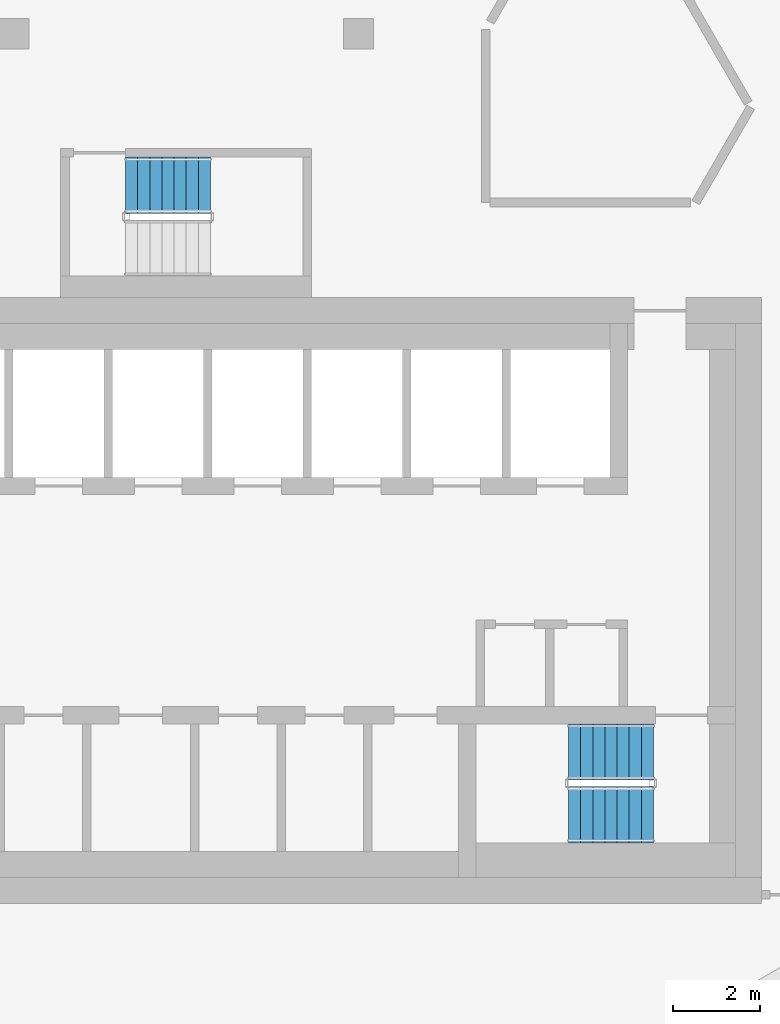
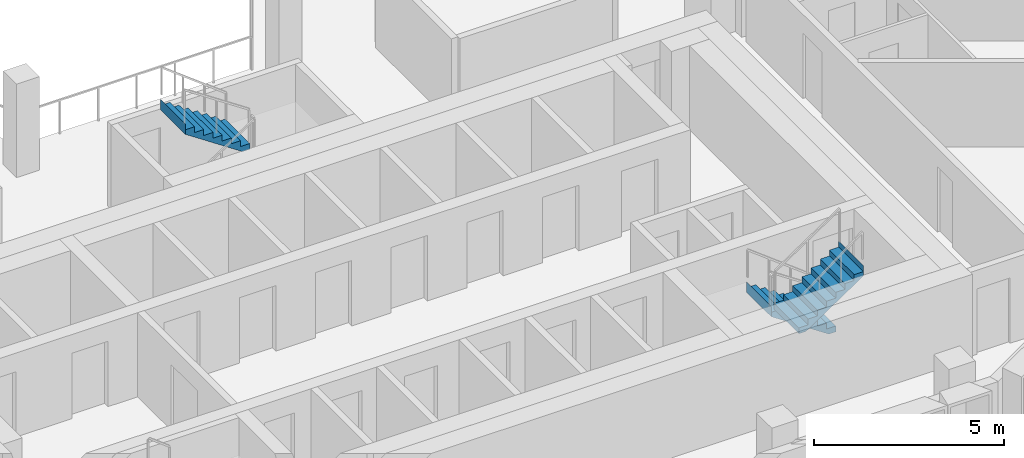
# One storey, part 10 of 15: 3 stair flights, 2 elements without a shape of their own.
"""IFC4 building model written with IfcOpenShell, lengths in metres."""

from ifc_helpers import new_model, si_unit, direction, frame, origin, place, context, subcontext, project, spatial, triangles, material, type_object, element, aggregate, save


model = new_model("IFC4")

# Units and contexts
model_context = context("Model", 3, precision=1e-05, world=origin(), true_north=direction((0.0, 1.0)))
body_context = subcontext(model_context, "Body", "Model", "MODEL_VIEW")
ifc_project = project(units=[si_unit("LENGTHUNIT", "METRE"), si_unit("AREAUNIT", "SQUARE_METRE"), si_unit("VOLUMEUNIT", "CUBIC_METRE"), si_unit("PLANEANGLEUNIT", "RADIAN"), si_unit("MASSUNIT", "GRAM", prefix="KILO")], contexts=[model_context])

# Site, building, storey
site_placement = place(None, origin())
site = spatial("IfcSite", under=ifc_project, at=site_placement, CompositionType="ELEMENT")
building_placement = place(site_placement, origin())
building = spatial("IfcBuilding", under=site, at=building_placement, Name="Beryl Residences", CompositionType="ELEMENT")
storey_placement = place(building_placement, frame((0.0, 0.0, 175.199951171875)))
storey = spatial("IfcBuildingStorey", under=building, at=storey_placement, Name="L53", CompositionType="ELEMENT", Elevation=175.199951171875)

# Stair, stair flights
ifc_material_1 = material(Name="Concrete C40/50", Category="concrete")
stair_type = type_object("IfcStairType", Name="ST1 protected exit stair, half-turn, 1300 mm flights", PredefinedType="HALF_TURN_STAIR", material=ifc_material_1)
stair_1_placement = place(storey_placement, origin())
stair_1 = element("IfcStair", 1, at=stair_1_placement, inside=storey, type_object=stair_type, Name="L53 PROTECTED EXIT STAIR ST-3", PredefinedType="HALF_TURN_STAIR")
ifc_material_2 = material(Name="Concrete C40/50", Category="concrete")
stair_flight_type = type_object("IfcStairFlightType", Name="SF1 stair flight 1300 mm", PredefinedType="STRAIGHT", material=ifc_material_2)
stair_flight_1_placement = place(storey_placement, frame((10.800048828125, -15.5, 0.0), z_axis=(0.0, 0.0, 1.0), x_axis=(-1.0, 0.0, 0.0)))
stair_flight_1 = element("IfcStairFlight", 2, at=stair_flight_1_placement, type_object=stair_flight_type, Name="ST-3 flight 1", NumberOfRisers=8, NumberOfTreads=7, PredefinedType="STRAIGHT", RiserHeight=0.1875, TreadLength=0.28, context=body_context, shape_type="Tessellation", body=[
    triangles([(0.0, -0.64990234375, 0.0), (0.0, -0.324951171875, 0.0), (0.0, 0.0, 0.0), (0.0, 0.324951171875, 0.0), (0.0, 0.64990234375, 0.0), (0.0, -0.64990234375, 0.1875), (0.0, -0.324951171875, 0.1875), (0.0, 0.0, 0.1875), (0.0, 0.324951171875, 0.1875), (0.0, 0.64990234375, 0.1875), (0.280029296875, -0.64990234375, 0.1875), (0.280029296875, -0.324951171875, 0.1875), (0.280029296875, 0.0, 0.1875), (0.280029296875, 0.324951171875, 0.1875), (0.280029296875, 0.64990234375, 0.1875), (0.280029296875, -0.64990234375, 0.375), (0.280029296875, -0.324951171875, 0.375), (0.280029296875, 0.0, 0.375), (0.280029296875, 0.324951171875, 0.375), (0.280029296875, 0.64990234375, 0.375), (0.56005859375, -0.64990234375, 0.375), (0.56005859375, -0.324951171875, 0.375), (0.56005859375, 0.0, 0.375), (0.56005859375, 0.324951171875, 0.375), (0.56005859375, 0.64990234375, 0.375), (0.56005859375, -0.64990234375, 0.5625), (0.56005859375, -0.324951171875, 0.5625), (0.56005859375, 0.0, 0.5625), (0.56005859375, 0.324951171875, 0.5625), (0.56005859375, 0.64990234375, 0.5625), (0.840087890625, -0.64990234375, 0.5625), (0.840087890625, -0.324951171875, 0.5625), (0.840087890625, 0.0, 0.5625), (0.840087890625, 0.324951171875, 0.5625), (0.840087890625, 0.64990234375, 0.5625), (0.840087890625, -0.64990234375, 0.75), (0.840087890625, -0.324951171875, 0.75), (0.840087890625, 0.0, 0.75), (0.840087890625, 0.324951171875, 0.75), (0.840087890625, 0.64990234375, 0.75), (1.1201171875, -0.64990234375, 0.75), (1.1201171875, -0.324951171875, 0.75), (1.1201171875, 0.0, 0.75), (1.1201171875, 0.324951171875, 0.75), (1.1201171875, 0.64990234375, 0.75), (1.1201171875, -0.64990234375, 0.9375), (1.1201171875, -0.324951171875, 0.9375), (1.1201171875, 0.0, 0.9375), (1.1201171875, 0.324951171875, 0.9375), (1.1201171875, 0.64990234375, 0.9375), (1.39990234375, -0.64990234375, 0.9375), (1.39990234375, -0.324951171875, 0.9375), (1.39990234375, 0.0, 0.9375), (1.39990234375, 0.324951171875, 0.9375), (1.39990234375, 0.64990234375, 0.9375), (1.39990234375, -0.64990234375, 1.125), (1.39990234375, -0.324951171875, 1.125), (1.39990234375, 0.0, 1.125), (1.39990234375, 0.324951171875, 1.125), (1.39990234375, 0.64990234375, 1.125), (1.679931640625, -0.64990234375, 1.125), (1.679931640625, -0.324951171875, 1.125), (1.679931640625, 0.0, 1.125), (1.679931640625, 0.324951171875, 1.125), (1.679931640625, 0.64990234375, 1.125), (1.679931640625, -0.64990234375, 1.3125), (1.679931640625, -0.324951171875, 1.3125), (1.679931640625, 0.0, 1.3125), (1.679931640625, 0.324951171875, 1.3125), (1.679931640625, 0.64990234375, 1.3125), (1.9599609375, -0.64990234375, 1.3125), (1.9599609375, -0.324951171875, 1.3125), (1.9599609375, 0.0, 1.3125), (1.9599609375, 0.324951171875, 1.3125), (1.9599609375, 0.64990234375, 1.3125), (1.9599609375, -0.64990234375, 1.5), (1.9599609375, -0.324951171875, 1.5), (1.9599609375, 0.0, 1.5), (1.9599609375, 0.324951171875, 1.5), (1.9599609375, 0.64990234375, 1.5), (1.9609375, -0.64990234375, 1.5), (1.9609375, -0.324951171875, 1.5), (1.9609375, 0.0, 1.5), (1.9609375, 0.324951171875, 1.5), (1.9609375, 0.64990234375, 1.5), (1.9609375, -0.64990234375, 1.16796875), (1.9609375, -0.324951171875, 1.16796875), (1.9609375, 0.0, 1.16796875), (1.9609375, 0.324951171875, 1.16796875), (1.9609375, 0.64990234375, 1.16796875), (0.216796875, -0.64990234375, 0.0), (0.216796875, -0.324951171875, 0.0), (0.216796875, 0.0, 0.0), (0.216796875, 0.324951171875, 0.0), (0.216796875, 0.64990234375, 0.0)], [[1, 6, 7], [1, 7, 2], [2, 7, 8], [2, 8, 3], [3, 8, 9], [3, 9, 4], [4, 9, 10], [4, 10, 5], [6, 11, 12], [6, 12, 7], [7, 12, 13], [7, 13, 8], [8, 13, 14], [8, 14, 9], [9, 14, 15], [9, 15, 10], [11, 16, 17], [11, 17, 12], [12, 17, 18], [12, 18, 13], [13, 18, 19], [13, 19, 14], [14, 19, 20], [14, 20, 15], [16, 21, 22], [16, 22, 17], [17, 22, 23], [17, 23, 18], [18, 23, 24], [18, 24, 19], [19, 24, 25], [19, 25, 20], [21, 26, 27], [21, 27, 22], [22, 27, 28], [22, 28, 23], [23, 28, 29], [23, 29, 24], [24, 29, 30], [24, 30, 25], [26, 31, 32], [26, 32, 27], [27, 32, 33], [27, 33, 28], [28, 33, 34], [28, 34, 29], [29, 34, 35], [29, 35, 30], [31, 36, 37], [31, 37, 32], [32, 37, 38], [32, 38, 33], [33, 38, 39], [33, 39, 34], [34, 39, 40], [34, 40, 35], [36, 41, 42], [36, 42, 37], [37, 42, 43], [37, 43, 38], [38, 43, 44], [38, 44, 39], [39, 44, 45], [39, 45, 40], [41, 46, 47], [41, 47, 42], [42, 47, 48], [42, 48, 43], [43, 48, 49], [43, 49, 44], [44, 49, 50], [44, 50, 45], [46, 51, 52], [46, 52, 47], [47, 52, 53], [47, 53, 48], [48, 53, 54], [48, 54, 49], [49, 54, 55], [49, 55, 50], [51, 56, 57], [51, 57, 52], [52, 57, 58], [52, 58, 53], [53, 58, 59], [53, 59, 54], [54, 59, 60], [54, 60, 55], [56, 61, 62], [56, 62, 57], [57, 62, 63], [57, 63, 58], [58, 63, 64], [58, 64, 59], [59, 64, 65], [59, 65, 60], [61, 66, 67], [61, 67, 62], [62, 67, 68], [62, 68, 63], [63, 68, 69], [63, 69, 64], [64, 69, 70], [64, 70, 65], [66, 71, 72], [66, 72, 67], [67, 72, 73], [67, 73, 68], [68, 73, 74], [68, 74, 69], [69, 74, 75], [69, 75, 70], [71, 76, 77], [71, 77, 72], [72, 77, 78], [72, 78, 73], [73, 78, 79], [73, 79, 74], [74, 79, 80], [74, 80, 75], [76, 81, 82], [76, 82, 77], [77, 82, 83], [77, 83, 78], [78, 83, 84], [78, 84, 79], [79, 84, 85], [79, 85, 80], [81, 86, 87], [81, 87, 82], [82, 87, 88], [82, 88, 83], [83, 88, 89], [83, 89, 84], [84, 89, 90], [84, 90, 85], [86, 91, 92], [86, 92, 87], [87, 92, 93], [87, 93, 88], [88, 93, 94], [88, 94, 89], [89, 94, 95], [89, 95, 90], [91, 1, 2], [91, 2, 92], [92, 2, 3], [92, 3, 93], [93, 3, 4], [93, 4, 94], [94, 4, 5], [94, 5, 95], [1, 91, 86], [5, 90, 95], [86, 81, 76], [90, 80, 85], [86, 76, 71], [90, 75, 80], [86, 71, 66], [90, 70, 75], [86, 66, 61], [90, 65, 70], [61, 56, 51], [65, 55, 60], [86, 61, 51], [90, 55, 65], [51, 46, 41], [55, 45, 50], [86, 51, 41], [90, 45, 55], [41, 36, 31], [45, 35, 40], [86, 41, 31], [90, 35, 45], [31, 26, 21], [35, 25, 30], [86, 31, 21], [90, 25, 35], [21, 16, 11], [25, 15, 20], [86, 21, 11], [90, 15, 25], [1, 86, 11], [5, 15, 90], [11, 6, 1], [15, 5, 10]], closed=True),
])
stair_flight_2_placement = place(storey_placement, frame((8.840087890625, -16.949951171875, 1.5), z_axis=(0.0, 0.0, 1.0), x_axis=(1.0, 0.0, 0.0)))
stair_flight_2 = element("IfcStairFlight", 3, at=stair_flight_2_placement, type_object=stair_flight_type, Name="ST-3 flight 2", NumberOfRisers=8, NumberOfTreads=7, PredefinedType="STRAIGHT", RiserHeight=0.1875, TreadLength=0.28, context=body_context, shape_type="Tessellation", body=[
    triangles([(0.0, -0.64990234375, 0.0), (0.0, -0.324951171875, 0.0), (0.0, 0.0, 0.0), (0.0, 0.324951171875, 0.0), (0.0, 0.64990234375, 0.0), (0.0, -0.64990234375, 0.1875), (0.0, -0.324951171875, 0.1875), (0.0, 0.0, 0.1875), (0.0, 0.324951171875, 0.1875), (0.0, 0.64990234375, 0.1875), (0.280029296875, -0.64990234375, 0.1875), (0.280029296875, -0.324951171875, 0.1875), (0.280029296875, 0.0, 0.1875), (0.280029296875, 0.324951171875, 0.1875), (0.280029296875, 0.64990234375, 0.1875), (0.280029296875, -0.64990234375, 0.375), (0.280029296875, -0.324951171875, 0.375), (0.280029296875, 0.0, 0.375), (0.280029296875, 0.324951171875, 0.375), (0.280029296875, 0.64990234375, 0.375), (0.56005859375, -0.64990234375, 0.375), (0.56005859375, -0.324951171875, 0.375), (0.56005859375, 0.0, 0.375), (0.56005859375, 0.324951171875, 0.375), (0.56005859375, 0.64990234375, 0.375), (0.56005859375, -0.64990234375, 0.5625), (0.56005859375, -0.324951171875, 0.5625), (0.56005859375, 0.0, 0.5625), (0.56005859375, 0.324951171875, 0.5625), (0.56005859375, 0.64990234375, 0.5625), (0.840087890625, -0.64990234375, 0.5625), (0.840087890625, -0.324951171875, 0.5625), (0.840087890625, 0.0, 0.5625), (0.840087890625, 0.324951171875, 0.5625), (0.840087890625, 0.64990234375, 0.5625), (0.840087890625, -0.64990234375, 0.75), (0.840087890625, -0.324951171875, 0.75), (0.840087890625, 0.0, 0.75), (0.840087890625, 0.324951171875, 0.75), (0.840087890625, 0.64990234375, 0.75), (1.1201171875, -0.64990234375, 0.75), (1.1201171875, -0.324951171875, 0.75), (1.1201171875, 0.0, 0.75), (1.1201171875, 0.324951171875, 0.75), (1.1201171875, 0.64990234375, 0.75), (1.1201171875, -0.64990234375, 0.9375), (1.1201171875, -0.324951171875, 0.9375), (1.1201171875, 0.0, 0.9375), (1.1201171875, 0.324951171875, 0.9375), (1.1201171875, 0.64990234375, 0.9375), (1.39990234375, -0.64990234375, 0.9375), (1.39990234375, -0.324951171875, 0.9375), (1.39990234375, 0.0, 0.9375), (1.39990234375, 0.324951171875, 0.9375), (1.39990234375, 0.64990234375, 0.9375), (1.39990234375, -0.64990234375, 1.125), (1.39990234375, -0.324951171875, 1.125), (1.39990234375, 0.0, 1.125), (1.39990234375, 0.324951171875, 1.125), (1.39990234375, 0.64990234375, 1.125), (1.679931640625, -0.64990234375, 1.125), (1.679931640625, -0.324951171875, 1.125), (1.679931640625, 0.0, 1.125), (1.679931640625, 0.324951171875, 1.125), (1.679931640625, 0.64990234375, 1.125), (1.679931640625, -0.64990234375, 1.3125), (1.679931640625, -0.324951171875, 1.3125), (1.679931640625, 0.0, 1.3125), (1.679931640625, 0.324951171875, 1.3125), (1.679931640625, 0.64990234375, 1.3125), (1.9599609375, -0.64990234375, 1.3125), (1.9599609375, -0.324951171875, 1.3125), (1.9599609375, 0.0, 1.3125), (1.9599609375, 0.324951171875, 1.3125), (1.9599609375, 0.64990234375, 1.3125), (1.9599609375, -0.64990234375, 1.5), (1.9599609375, -0.324951171875, 1.5), (1.9599609375, 0.0, 1.5), (1.9599609375, 0.324951171875, 1.5), (1.9599609375, 0.64990234375, 1.5), (1.9609375, -0.64990234375, 1.5), (1.9609375, -0.324951171875, 1.5), (1.9609375, 0.0, 1.5), (1.9609375, 0.324951171875, 1.5), (1.9609375, 0.64990234375, 1.5), (1.9609375, -0.64990234375, 1.16796875), (1.9609375, -0.324951171875, 1.16796875), (1.9609375, 0.0, 1.16796875), (1.9609375, 0.324951171875, 1.16796875), (1.9609375, 0.64990234375, 1.16796875), (0.216796875, -0.64990234375, 0.0), (0.216796875, -0.324951171875, 0.0), (0.216796875, 0.0, 0.0), (0.216796875, 0.324951171875, 0.0), (0.216796875, 0.64990234375, 0.0)], [[1, 6, 7], [1, 7, 2], [2, 7, 8], [2, 8, 3], [3, 8, 9], [3, 9, 4], [4, 9, 10], [4, 10, 5], [6, 11, 12], [6, 12, 7], [7, 12, 13], [7, 13, 8], [8, 13, 14], [8, 14, 9], [9, 14, 15], [9, 15, 10], [11, 16, 17], [11, 17, 12], [12, 17, 18], [12, 18, 13], [13, 18, 19], [13, 19, 14], [14, 19, 20], [14, 20, 15], [16, 21, 22], [16, 22, 17], [17, 22, 23], [17, 23, 18], [18, 23, 24], [18, 24, 19], [19, 24, 25], [19, 25, 20], [21, 26, 27], [21, 27, 22], [22, 27, 28], [22, 28, 23], [23, 28, 29], [23, 29, 24], [24, 29, 30], [24, 30, 25], [26, 31, 32], [26, 32, 27], [27, 32, 33], [27, 33, 28], [28, 33, 34], [28, 34, 29], [29, 34, 35], [29, 35, 30], [31, 36, 37], [31, 37, 32], [32, 37, 38], [32, 38, 33], [33, 38, 39], [33, 39, 34], [34, 39, 40], [34, 40, 35], [36, 41, 42], [36, 42, 37], [37, 42, 43], [37, 43, 38], [38, 43, 44], [38, 44, 39], [39, 44, 45], [39, 45, 40], [41, 46, 47], [41, 47, 42], [42, 47, 48], [42, 48, 43], [43, 48, 49], [43, 49, 44], [44, 49, 50], [44, 50, 45], [46, 51, 52], [46, 52, 47], [47, 52, 53], [47, 53, 48], [48, 53, 54], [48, 54, 49], [49, 54, 55], [49, 55, 50], [51, 56, 57], [51, 57, 52], [52, 57, 58], [52, 58, 53], [53, 58, 59], [53, 59, 54], [54, 59, 60], [54, 60, 55], [56, 61, 62], [56, 62, 57], [57, 62, 63], [57, 63, 58], [58, 63, 64], [58, 64, 59], [59, 64, 65], [59, 65, 60], [61, 66, 67], [61, 67, 62], [62, 67, 68], [62, 68, 63], [63, 68, 69], [63, 69, 64], [64, 69, 70], [64, 70, 65], [66, 71, 72], [66, 72, 67], [67, 72, 73], [67, 73, 68], [68, 73, 74], [68, 74, 69], [69, 74, 75], [69, 75, 70], [71, 76, 77], [71, 77, 72], [72, 77, 78], [72, 78, 73], [73, 78, 79], [73, 79, 74], [74, 79, 80], [74, 80, 75], [76, 81, 82], [76, 82, 77], [77, 82, 83], [77, 83, 78], [78, 83, 84], [78, 84, 79], [79, 84, 85], [79, 85, 80], [81, 86, 87], [81, 87, 82], [82, 87, 88], [82, 88, 83], [83, 88, 89], [83, 89, 84], [84, 89, 90], [84, 90, 85], [86, 91, 92], [86, 92, 87], [87, 92, 93], [87, 93, 88], [88, 93, 94], [88, 94, 89], [89, 94, 95], [89, 95, 90], [91, 1, 2], [91, 2, 92], [92, 2, 3], [92, 3, 93], [93, 3, 4], [93, 4, 94], [94, 4, 5], [94, 5, 95], [1, 91, 86], [5, 90, 95], [86, 81, 76], [90, 80, 85], [86, 76, 71], [90, 75, 80], [86, 71, 66], [90, 70, 75], [86, 66, 61], [90, 65, 70], [61, 56, 51], [65, 55, 60], [86, 61, 51], [90, 55, 65], [51, 46, 41], [55, 45, 50], [86, 51, 41], [90, 45, 55], [41, 36, 31], [45, 35, 40], [86, 41, 31], [90, 35, 45], [31, 26, 21], [35, 25, 30], [86, 31, 21], [90, 25, 35], [21, 16, 11], [25, 15, 20], [86, 21, 11], [90, 15, 25], [1, 86, 11], [5, 15, 90], [11, 6, 1], [15, 5, 10]], closed=True),
])
aggregate(stair_1, [stair_flight_1, stair_flight_2])

# Stair, stair flight
stair_2_placement = place(storey_placement, origin())
stair_2 = element("IfcStair", 4, at=stair_2_placement, inside=storey, type_object=stair_type, Name="L53 PROTECTED EXIT STAIR ST-4", PredefinedType="HALF_TURN_STAIR")
stair_flight_3_placement = place(storey_placement, frame((0.56005859375, -2.39990234375, 1.5), z_axis=(0.0, 0.0, 1.0), x_axis=(-1.0, 0.0, 0.0)))
stair_flight_3 = element("IfcStairFlight", 5, at=stair_flight_3_placement, type_object=stair_flight_type, Name="ST-4 flight 2", NumberOfRisers=8, NumberOfTreads=7, PredefinedType="STRAIGHT", RiserHeight=0.1875, TreadLength=0.28, context=body_context, shape_type="Tessellation", body=[
    triangles([(0.0, -0.64990234375, 0.0), (0.0, -0.324951171875, 0.0), (0.0, 0.0, 0.0), (0.0, 0.324951171875, 0.0), (0.0, 0.64990234375, 0.0), (0.0, -0.64990234375, 0.1875), (0.0, -0.324951171875, 0.1875), (0.0, 0.0, 0.1875), (0.0, 0.324951171875, 0.1875), (0.0, 0.64990234375, 0.1875), (0.280029296875, -0.64990234375, 0.1875), (0.280029296875, -0.324951171875, 0.1875), (0.280029296875, 0.0, 0.1875), (0.280029296875, 0.324951171875, 0.1875), (0.280029296875, 0.64990234375, 0.1875), (0.280029296875, -0.64990234375, 0.375), (0.280029296875, -0.324951171875, 0.375), (0.280029296875, 0.0, 0.375), (0.280029296875, 0.324951171875, 0.375), (0.280029296875, 0.64990234375, 0.375), (0.56005859375, -0.64990234375, 0.375), (0.56005859375, -0.324951171875, 0.375), (0.56005859375, 0.0, 0.375), (0.56005859375, 0.324951171875, 0.375), (0.56005859375, 0.64990234375, 0.375), (0.56005859375, -0.64990234375, 0.5625), (0.56005859375, -0.324951171875, 0.5625), (0.56005859375, 0.0, 0.5625), (0.56005859375, 0.324951171875, 0.5625), (0.56005859375, 0.64990234375, 0.5625), (0.840087890625, -0.64990234375, 0.5625), (0.840087890625, -0.324951171875, 0.5625), (0.840087890625, 0.0, 0.5625), (0.840087890625, 0.324951171875, 0.5625), (0.840087890625, 0.64990234375, 0.5625), (0.840087890625, -0.64990234375, 0.75), (0.840087890625, -0.324951171875, 0.75), (0.840087890625, 0.0, 0.75), (0.840087890625, 0.324951171875, 0.75), (0.840087890625, 0.64990234375, 0.75), (1.1201171875, -0.64990234375, 0.75), (1.1201171875, -0.324951171875, 0.75), (1.1201171875, 0.0, 0.75), (1.1201171875, 0.324951171875, 0.75), (1.1201171875, 0.64990234375, 0.75), (1.1201171875, -0.64990234375, 0.9375), (1.1201171875, -0.324951171875, 0.9375), (1.1201171875, 0.0, 0.9375), (1.1201171875, 0.324951171875, 0.9375), (1.1201171875, 0.64990234375, 0.9375), (1.39990234375, -0.64990234375, 0.9375), (1.39990234375, -0.324951171875, 0.9375), (1.39990234375, 0.0, 0.9375), (1.39990234375, 0.324951171875, 0.9375), (1.39990234375, 0.64990234375, 0.9375), (1.39990234375, -0.64990234375, 1.125), (1.39990234375, -0.324951171875, 1.125), (1.39990234375, 0.0, 1.125), (1.39990234375, 0.324951171875, 1.125), (1.39990234375, 0.64990234375, 1.125), (1.679931640625, -0.64990234375, 1.125), (1.679931640625, -0.324951171875, 1.125), (1.679931640625, 0.0, 1.125), (1.679931640625, 0.324951171875, 1.125), (1.679931640625, 0.64990234375, 1.125), (1.679931640625, -0.64990234375, 1.3125), (1.679931640625, -0.324951171875, 1.3125), (1.679931640625, 0.0, 1.3125), (1.679931640625, 0.324951171875, 1.3125), (1.679931640625, 0.64990234375, 1.3125), (1.9599609375, -0.64990234375, 1.3125), (1.9599609375, -0.324951171875, 1.3125), (1.9599609375, 0.0, 1.3125), (1.9599609375, 0.324951171875, 1.3125), (1.9599609375, 0.64990234375, 1.3125), (1.9599609375, -0.64990234375, 1.5), (1.9599609375, -0.324951171875, 1.5), (1.9599609375, 0.0, 1.5), (1.9599609375, 0.324951171875, 1.5), (1.9599609375, 0.64990234375, 1.5), (1.9609375, -0.64990234375, 1.5), (1.9609375, -0.324951171875, 1.5), (1.9609375, 0.0, 1.5), (1.9609375, 0.324951171875, 1.5), (1.9609375, 0.64990234375, 1.5), (1.9609375, -0.64990234375, 1.16796875), (1.9609375, -0.324951171875, 1.16796875), (1.9609375, 0.0, 1.16796875), (1.9609375, 0.324951171875, 1.16796875), (1.9609375, 0.64990234375, 1.16796875), (0.216796875, -0.64990234375, 0.0), (0.216796875, -0.324951171875, 0.0), (0.216796875, 0.0, 0.0), (0.216796875, 0.324951171875, 0.0), (0.216796875, 0.64990234375, 0.0)], [[1, 6, 7], [1, 7, 2], [2, 7, 8], [2, 8, 3], [3, 8, 9], [3, 9, 4], [4, 9, 10], [4, 10, 5], [6, 11, 12], [6, 12, 7], [7, 12, 13], [7, 13, 8], [8, 13, 14], [8, 14, 9], [9, 14, 15], [9, 15, 10], [11, 16, 17], [11, 17, 12], [12, 17, 18], [12, 18, 13], [13, 18, 19], [13, 19, 14], [14, 19, 20], [14, 20, 15], [16, 21, 22], [16, 22, 17], [17, 22, 23], [17, 23, 18], [18, 23, 24], [18, 24, 19], [19, 24, 25], [19, 25, 20], [21, 26, 27], [21, 27, 22], [22, 27, 28], [22, 28, 23], [23, 28, 29], [23, 29, 24], [24, 29, 30], [24, 30, 25], [26, 31, 32], [26, 32, 27], [27, 32, 33], [27, 33, 28], [28, 33, 34], [28, 34, 29], [29, 34, 35], [29, 35, 30], [31, 36, 37], [31, 37, 32], [32, 37, 38], [32, 38, 33], [33, 38, 39], [33, 39, 34], [34, 39, 40], [34, 40, 35], [36, 41, 42], [36, 42, 37], [37, 42, 43], [37, 43, 38], [38, 43, 44], [38, 44, 39], [39, 44, 45], [39, 45, 40], [41, 46, 47], [41, 47, 42], [42, 47, 48], [42, 48, 43], [43, 48, 49], [43, 49, 44], [44, 49, 50], [44, 50, 45], [46, 51, 52], [46, 52, 47], [47, 52, 53], [47, 53, 48], [48, 53, 54], [48, 54, 49], [49, 54, 55], [49, 55, 50], [51, 56, 57], [51, 57, 52], [52, 57, 58], [52, 58, 53], [53, 58, 59], [53, 59, 54], [54, 59, 60], [54, 60, 55], [56, 61, 62], [56, 62, 57], [57, 62, 63], [57, 63, 58], [58, 63, 64], [58, 64, 59], [59, 64, 65], [59, 65, 60], [61, 66, 67], [61, 67, 62], [62, 67, 68], [62, 68, 63], [63, 68, 69], [63, 69, 64], [64, 69, 70], [64, 70, 65], [66, 71, 72], [66, 72, 67], [67, 72, 73], [67, 73, 68], [68, 73, 74], [68, 74, 69], [69, 74, 75], [69, 75, 70], [71, 76, 77], [71, 77, 72], [72, 77, 78], [72, 78, 73], [73, 78, 79], [73, 79, 74], [74, 79, 80], [74, 80, 75], [76, 81, 82], [76, 82, 77], [77, 82, 83], [77, 83, 78], [78, 83, 84], [78, 84, 79], [79, 84, 85], [79, 85, 80], [81, 86, 87], [81, 87, 82], [82, 87, 88], [82, 88, 83], [83, 88, 89], [83, 89, 84], [84, 89, 90], [84, 90, 85], [86, 91, 92], [86, 92, 87], [87, 92, 93], [87, 93, 88], [88, 93, 94], [88, 94, 89], [89, 94, 95], [89, 95, 90], [91, 1, 2], [91, 2, 92], [92, 2, 3], [92, 3, 93], [93, 3, 4], [93, 4, 94], [94, 4, 5], [94, 5, 95], [1, 91, 86], [5, 90, 95], [86, 81, 76], [90, 80, 85], [86, 76, 71], [90, 75, 80], [86, 71, 66], [90, 70, 75], [86, 66, 61], [90, 65, 70], [61, 56, 51], [65, 55, 60], [86, 61, 51], [90, 55, 65], [51, 46, 41], [55, 45, 50], [86, 51, 41], [90, 45, 55], [41, 36, 31], [45, 35, 40], [86, 41, 31], [90, 35, 45], [31, 26, 21], [35, 25, 30], [86, 31, 21], [90, 25, 35], [21, 16, 11], [25, 15, 20], [86, 21, 11], [90, 15, 25], [1, 86, 11], [5, 15, 90], [11, 6, 1], [15, 5, 10]], closed=True),
])
aggregate(stair_2, [stair_flight_3])

save(model, "model.ifc")
